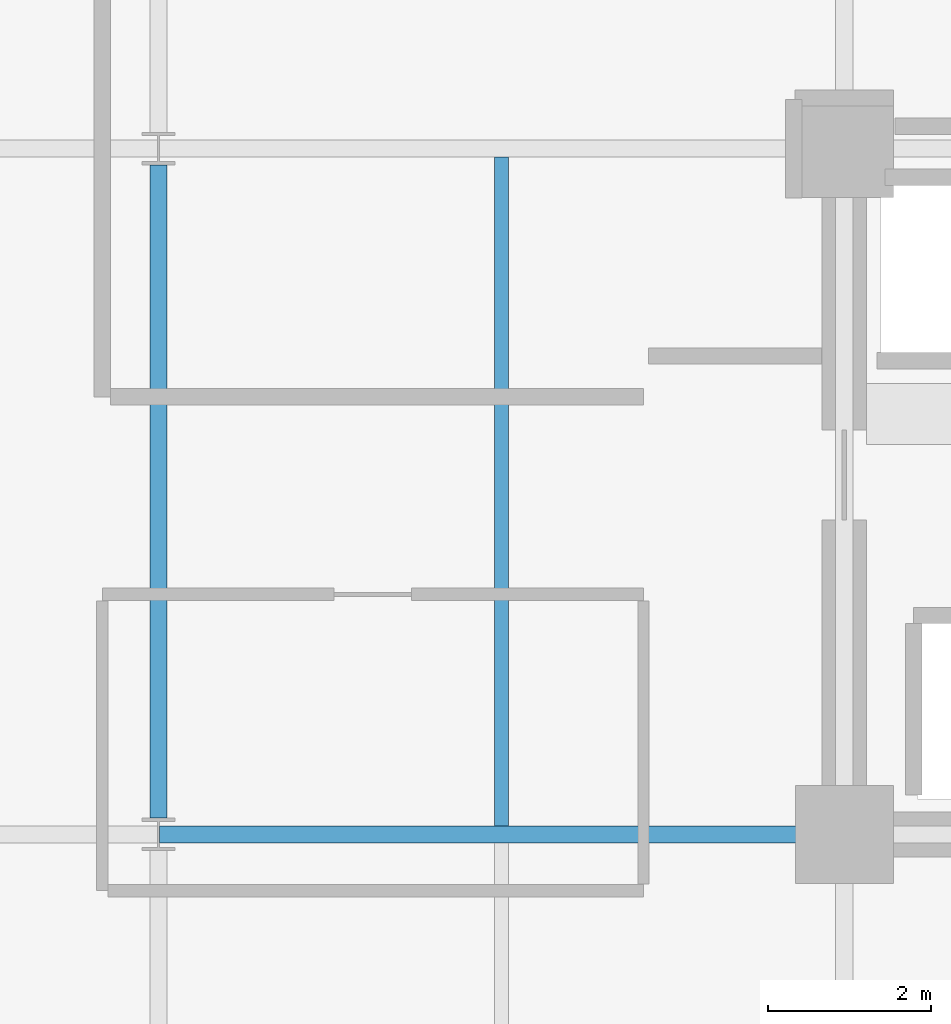
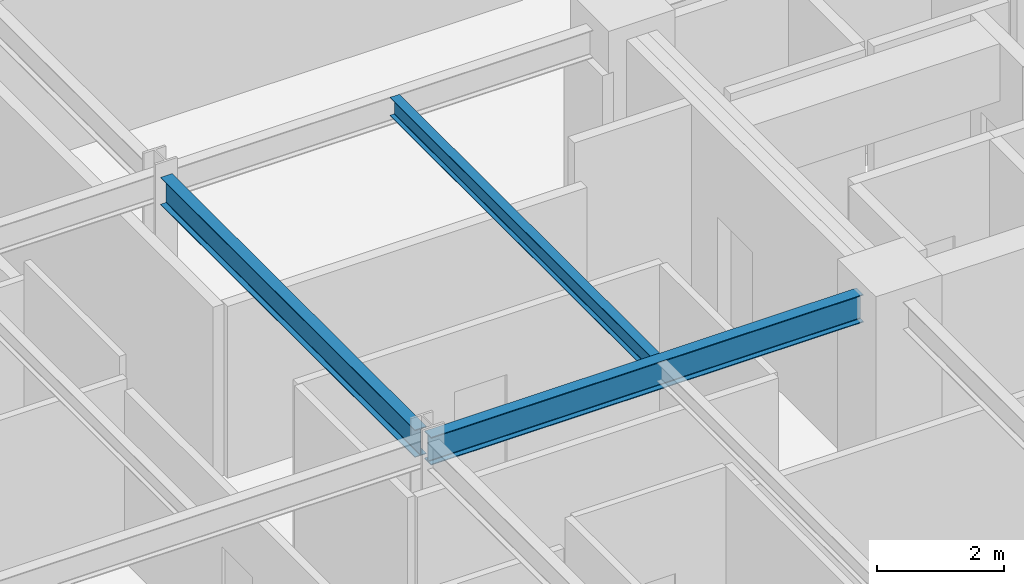
# One storey, part 7 of 38: 3 beams.
"""IFC4 building model written with IfcOpenShell, lengths in metres."""

from ifc_helpers import new_model, si_unit, direction, frame, origin, origin_2d, place, context, subcontext, project, spatial, i_section, extrude, material, material_profile, profile_set, type_object, element, save


model = new_model("IFC4")

# Units and contexts
model_context = context("Model", 3, precision=1e-05, world=origin(), true_north=direction((0.0, 1.0)))
body_context = subcontext(model_context, "Body", "Model", "MODEL_VIEW")
ifc_project = project(units=[si_unit("LENGTHUNIT", "METRE"), si_unit("AREAUNIT", "SQUARE_METRE"), si_unit("VOLUMEUNIT", "CUBIC_METRE"), si_unit("PLANEANGLEUNIT", "RADIAN"), si_unit("MASSUNIT", "GRAM", prefix="KILO")], contexts=[model_context])

# Site, building, storey
site_placement = place(None, origin())
site = spatial("IfcSite", under=ifc_project, at=site_placement, CompositionType="ELEMENT")
building_placement = place(site_placement, origin())
building = spatial("IfcBuilding", under=site, at=building_placement, Name="Nerrivon Quay Data Exchange", CompositionType="ELEMENT")
storey_placement = place(building_placement, frame((0.0, 0.0, 100.800048828125)))
storey = spatial("IfcBuildingStorey", under=building, at=storey_placement, Name="L23", CompositionType="ELEMENT", Elevation=100.800048828125)

# Beams
ifc_material = material(Name="Steel Grade 350", Category="steel")
ifc_material_profile_1 = material_profile(ifc_material, i_section(OverallWidth=0.208984375, OverallDepth=0.532958984375, WebThickness=0.01025390625, FlangeThickness=0.015625, FilletRadius=0.013916015625, at=origin_2d()), Name="530UB92.4")
ifc_profile_set_1 = profile_set([ifc_material_profile_1], Name="Steel Grade 350")
beam_type_1 = type_object("IfcBeamType", Name="BM-G3-530UB92", PredefinedType="BEAM", material=ifc_profile_set_1)
beam_1_placement = place(storey_placement, frame((8.41259765625, 8.39990234375, 3.558349609375), z_axis=(1.0, 0.0, 0.0), x_axis=(0.0, 1.0, 0.0)))
element("IfcBeam", 1, at=beam_1_placement, inside=storey, type_object=beam_type_1, Name="L23 EW Girder Y=8.4 (8.4..16.8)", PredefinedType="BEAM", context=body_context, shape_type="SweptSolid", body=[
    extrude(i_section(OverallWidth=0.208984375, OverallDepth=0.532958984375, WebThickness=0.01025390625, FlangeThickness=0.015625, FilletRadius=0.013916015625, at=origin_2d()), origin(), (0.0, 0.0, 1.0), 7.847412109375),
])
ifc_material_profile_2 = material_profile(ifc_material, i_section(OverallWidth=0.208984375, OverallDepth=0.528076171875, WebThickness=0.009521484375, FlangeThickness=0.01318359375, FilletRadius=0.013916015625, at=origin_2d()), Name="530UB82.0")
ifc_profile_set_2 = profile_set([ifc_material_profile_2], Name="Steel Grade 350")
beam_type_2 = type_object("IfcBeamType", Name="BM-G4-530UB82", PredefinedType="BEAM", material=ifc_profile_set_2)
beam_2_placement = place(storey_placement, frame((8.39990234375, 8.60009765625, 3.56103515625), z_axis=(0.0, 1.0, 0.0), x_axis=(-1.0, 0.0, 0.0)))
element("IfcBeam", 2, at=beam_2_placement, inside=storey, type_object=beam_type_2, Name="L23 NS Girder X=8.4 (8.4..16.8)", PredefinedType="BEAM", context=body_context, shape_type="SweptSolid", body=[
    extrude(i_section(OverallWidth=0.208984375, OverallDepth=0.528076171875, WebThickness=0.009521484375, FlangeThickness=0.01318359375, FilletRadius=0.013916015625, at=origin_2d()), origin(), (0.0, 0.0, 1.0), 8.0),
])
ifc_material_profile_3 = material_profile(ifc_material, i_section(OverallWidth=0.1708984375, OverallDepth=0.35595703125, WebThickness=0.00732421875, FlangeThickness=0.011474609375, FilletRadius=0.011474609375, at=origin_2d()), Name="360UB50.7")
ifc_profile_set_3 = profile_set([ifc_material_profile_3], Name="Steel Grade 350")
beam_type_3 = type_object("IfcBeamType", Name="BM-J4-360UB51", PredefinedType="JOIST", material=ifc_profile_set_3)
beam_3_placement = place(storey_placement, frame((12.60009765625, 8.50439453125, 3.64697265625), z_axis=(0.0, 1.0, 0.0), x_axis=(-1.0, 0.0, 0.0)))
element("IfcBeam", 3, at=beam_3_placement, inside=storey, type_object=beam_type_3, Name="L23 Secondary Joist X=12.6 (8.4..16.8)", PredefinedType="JOIST", context=body_context, shape_type="SweptSolid", body=[
    extrude(i_section(OverallWidth=0.1708984375, OverallDepth=0.35595703125, WebThickness=0.00732421875, FlangeThickness=0.011474609375, FilletRadius=0.011474609375, at=origin_2d()), origin(), (0.0, 0.0, 1.0), 8.191162109375),
])

save(model, "model.ifc")
